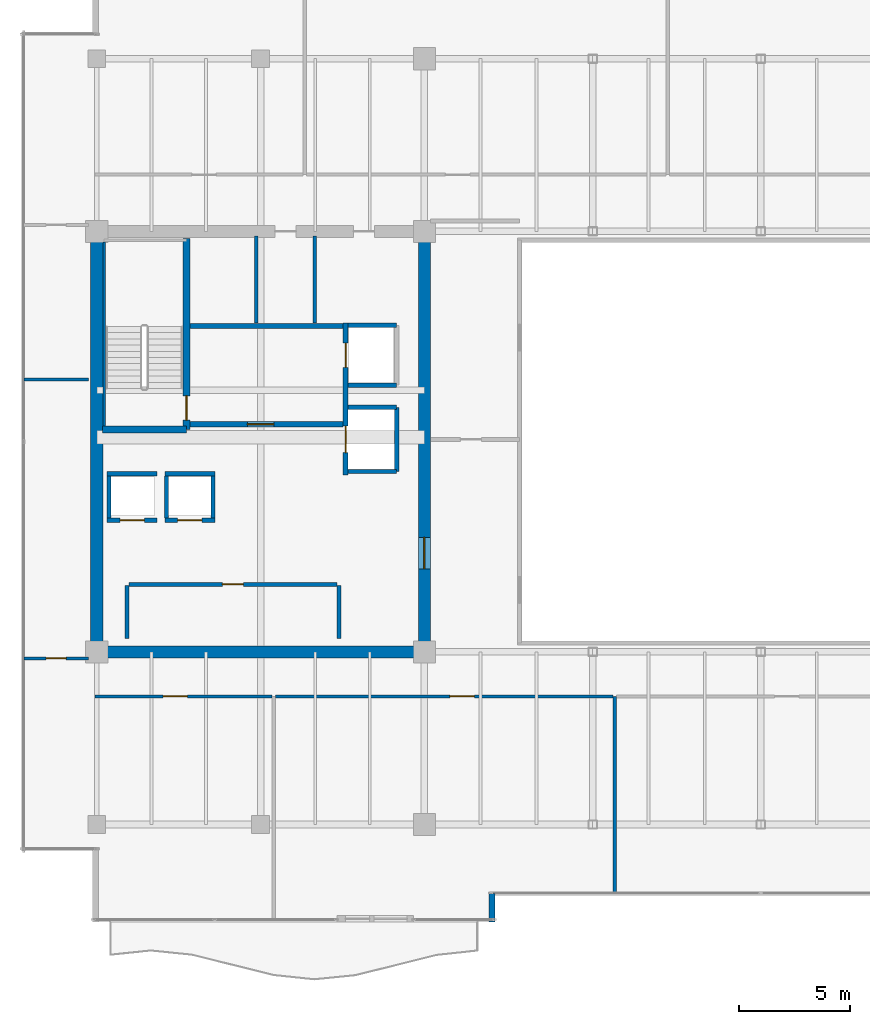
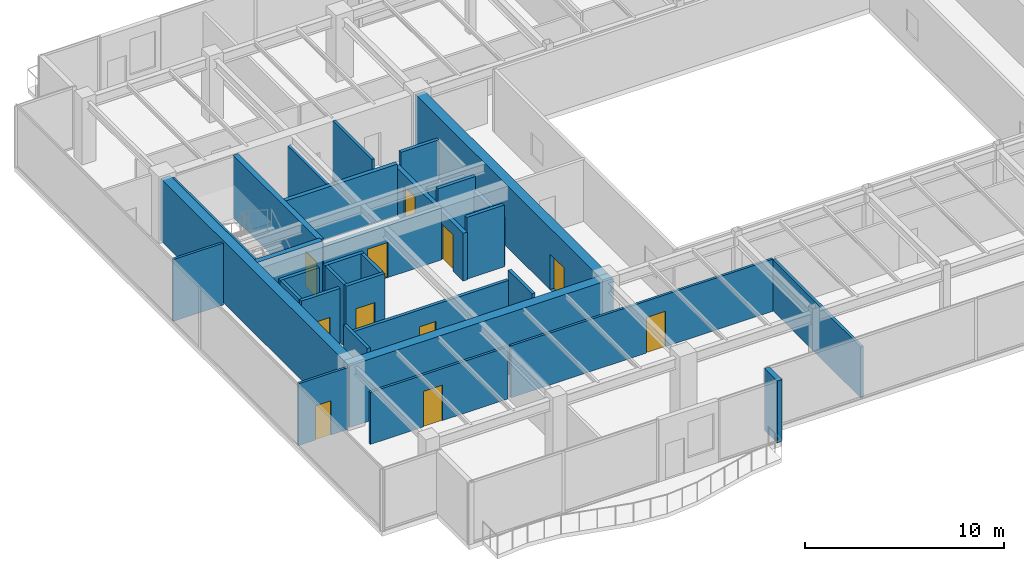
# One storey, part 28 of 34: 32 walls, 11 doors, 11 openings.
"""IFC4 building model written with IfcOpenShell, lengths in metres."""

from ifc_helpers import new_model, si_unit, direction, frame, frame_2d, origin, place, context, subcontext, project, spatial, rectangle, extrude, source, transform, mapped, material, layer, layer_set, type_object, type_shapes, element, fill, save


model = new_model("IFC4")

# Units and contexts
model_context = context("Model", 3, precision=1e-05, world=origin(), true_north=direction((0.0, 1.0)))
body_context = subcontext(model_context, "Body", "Model", "MODEL_VIEW")
ifc_project = project(units=[si_unit("LENGTHUNIT", "METRE"), si_unit("AREAUNIT", "SQUARE_METRE"), si_unit("VOLUMEUNIT", "CUBIC_METRE"), si_unit("PLANEANGLEUNIT", "RADIAN"), si_unit("MASSUNIT", "GRAM", prefix="KILO")], contexts=[model_context])

# Site, building, storey
site_placement = place(None, origin())
site = spatial("IfcSite", under=ifc_project, at=site_placement, CompositionType="ELEMENT")
building_placement = place(site_placement, origin())
building = spatial("IfcBuilding", under=site, at=building_placement, Name="Haelvirn Gate Laboratories", CompositionType="ELEMENT")
storey_placement = place(building_placement, frame((0.0, 0.0, 246.5)))
storey = spatial("IfcBuildingStorey", under=building, at=storey_placement, Name="L59", CompositionType="ELEMENT", Elevation=246.5)

# Walls
ifc_material_1 = material(Name="Thermally-broken bronze aluminium rainscreen & mineral wool", Category="aluminium")
ifc_layer_1 = layer(ifc_material_1, 0.280029296875, Name="EW-TERR-280")
ifc_layer_set_1 = layer_set([ifc_layer_1], Name="Thermally-broken bronze aluminium rainscreen & mineral wool")
wall_type_1 = type_object("IfcWallType", Name="EW-TERR-280", PredefinedType="STANDARD", material=ifc_layer_set_1)
wall_1_placement = place(storey_placement, frame((25.260009765625, 2.60009765625, 0.0), z_axis=(0.0, 0.0, 1.0), x_axis=(0.0, 1.0, 0.0)))
element("IfcWall", 1, at=wall_1_placement, inside=storey, type_object=wall_type_1, Name="L59 Atrium Recess Bronze Return Wall 01", PredefinedType="STANDARD", context=body_context, shape_type="SweptSolid", body=[
    extrude(rectangle(XDim=1.29296875, YDim=0.280029296875, at=frame_2d((0.646484375, 0.0))), origin(), (0.0, 0.0, 1.0), 3.800048828125),
])
ifc_material_2 = material(Name="Double-layer acoustic gypsum laboratory partition", Category="gypsum")
ifc_layer_2 = layer(ifc_material_2, 0.159912109375, Name="IW-ACOUST-160")
ifc_layer_set_2 = layer_set([ifc_layer_2], Name="Double-layer acoustic gypsum laboratory partition")
wall_type_2 = type_object("IfcWallType", Name="IW-ACOUST-160", PredefinedType="PARTITIONING", material=ifc_layer_set_2)
wall_2_placement = place(storey_placement, frame((30.800048828125, 3.909912109375, 0.0), z_axis=(0.0, 0.0, 1.0), x_axis=(0.0, 1.0, 0.0)))
element("IfcWall", 2, at=wall_2_placement, inside=storey, type_object=wall_type_2, Name="L59 Interior Wall IW-L59-SDIV-02", PredefinedType="PARTITIONING", context=body_context, shape_type="SweptSolid", body=[
    extrude(rectangle(XDim=8.880126953125, YDim=0.159912109375, at=frame_2d((4.43994140625, 0.0))), origin(), (0.0, 0.0, 1.0), 3.135009765625),
])

# Wall, opening, door
ifc_material_3 = material(Name="Acoustic mineral-wool gypsum board partition", Category="gypsum")
ifc_layer_3 = layer(ifc_material_3, 0.139892578125, Name="IW-PART-140")
ifc_layer_set_3 = layer_set([ifc_layer_3], Name="Acoustic mineral-wool gypsum board partition")
wall_type_3 = type_object("IfcWallType", Name="IW-PART-140", PredefinedType="PARTITIONING", material=ifc_layer_set_3)
wall_3_placement = place(storey_placement, frame((7.31005859375, 12.7900390625, 0.0), z_axis=(0.0, 0.0, 1.0), x_axis=(1.0, 0.0, 0.0)))
wall_3 = element("IfcWall", 3, at=wall_3_placement, inside=storey, type_object=wall_type_3, Name="L59 Interior Wall IW-L59-SCORR-01", PredefinedType="PARTITIONING", context=body_context, shape_type="SweptSolid", body=[
    extrude(rectangle(XDim=8.010009765625, YDim=0.139892578125, at=frame_2d((4.0048828125, 0.0))), origin(), (0.0, 0.0, 1.0), 3.197021484375),
])
opening_1_placement = place(wall_3_placement, frame((3.08251953125, 0.0, 0.0)))
opening_1 = element("IfcOpeningElement", 4, at=opening_1_placement, cuts=wall_3, Name="Opening D1", PredefinedType="OPENING", context=body_context, shape_type="SweptSolid", body=[
    extrude(rectangle(XDim=1.10009765625, YDim=2.179931640625, at=frame_2d((0.550048828125, 1.08984375))), frame((0.0, 0.080078125, 0.0), z_axis=(0.0, -1.0, 0.0), x_axis=(1.0, 0.0, 0.0)), (0.0, 0.0, 1.0), 0.159912109375),
])
ifc_material_4 = material(Name="Vision-panel acoustic solid-core timber lab door", Category="wood")
door_type_1 = type_object("IfcDoorType", Name="DR-LAB-1100", OperationType="NOTDEFINED", PredefinedType="DOOR", material=ifc_material_4)
shared_shape_1 = source(origin(), body_context, "Body", "SweptSolid", [
    extrude(rectangle(XDim=1.10009765625, YDim=2.179931640625, at=frame_2d((0.550048828125, 1.08984375))), frame((0.0, 0.02490234375, 0.0), z_axis=(0.0, -1.0, 0.0), x_axis=(1.0, 0.0, 0.0)), (0.0, 0.0, 1.0), 0.050048828125),
])
type_shapes(door_type_1, [shared_shape_1])
door_1_placement = place(opening_1_placement, origin())
door_1 = element("IfcDoor", 5, at=door_1_placement, inside=storey, type_object=door_type_1, Name="L59 Translational Data Office Door S1", OperationType="SINGLE_SWING_RIGHT", OverallHeight=2.179931640625, OverallWidth=1.10009765625, PredefinedType="DOOR", context=body_context, shape_type="MappedRepresentation", body=[
    mapped(shared_shape_1, transform((0.0, 0.0, 0.0), scale=1.0)),
])
fill(opening_1, door_1)

wall_4_placement = place(storey_placement, frame((15.47998046875, 12.7900390625, 0.0), z_axis=(0.0, 0.0, 1.0), x_axis=(1.0, 0.0, 0.0)))
wall_4 = element("IfcWall", 6, at=wall_4_placement, inside=storey, type_object=wall_type_3, Name="L59 Interior Wall IW-L59-SCORR-02", PredefinedType="PARTITIONING", context=body_context, shape_type="SweptSolid", body=[
    extrude(rectangle(XDim=15.239990234375, YDim=0.139892578125, at=frame_2d((7.6201171875, 0.0))), origin(), (0.0, 0.0, 1.0), 3.197021484375),
])
opening_2_placement = place(wall_4_placement, frame((7.87646484375, 0.0, 0.0)))
opening_2 = element("IfcOpeningElement", 7, at=opening_2_placement, cuts=wall_4, Name="Opening D1", PredefinedType="OPENING", context=body_context, shape_type="SweptSolid", body=[
    extrude(rectangle(XDim=1.10009765625, YDim=2.179931640625, at=frame_2d((0.550048828125, 1.08984375))), frame((0.0, 0.080078125, 0.0), z_axis=(0.0, -1.0, 0.0), x_axis=(1.0, 0.0, 0.0)), (0.0, 0.0, 1.0), 0.159912109375),
])
door_2_placement = place(opening_2_placement, origin())
door_2 = element("IfcDoor", 8, at=door_2_placement, inside=storey, type_object=door_type_1, Name="L59 Computational Write-Up Office Door S2", OperationType="SINGLE_SWING_LEFT", OverallHeight=2.179931640625, OverallWidth=1.10009765625, PredefinedType="DOOR", context=body_context, shape_type="MappedRepresentation", body=[
    mapped(shared_shape_1, transform((0.0, 0.0, 0.0), scale=1.0)),
])
fill(opening_2, door_2)

# Wall
wall_5_placement = place(storey_placement, frame((4.110107421875, 27.10009765625, 0.0), z_axis=(0.0, 0.0, 1.0), x_axis=(1.0, 0.0, 0.0)))
element("IfcWall", 9, at=wall_5_placement, inside=storey, type_object=wall_type_3, Name="L59 Interior Wall IW-L59-WZ3-MID", PredefinedType="PARTITIONING", context=body_context, shape_type="SweptSolid", body=[
    extrude(rectangle(XDim=2.909912109375, YDim=0.139892578125, at=frame_2d((1.455078125, 0.0))), origin(), (0.0, 0.0, 1.0), 3.800048828125),
])

# Wall, opening, door
wall_6_placement = place(storey_placement, frame((4.110107421875, 14.5048828125, 0.0), z_axis=(0.0, 0.0, 1.0), x_axis=(1.0, 0.0, 0.0)))
wall_6 = element("IfcWall", 10, at=wall_6_placement, inside=storey, type_object=wall_type_3, Name="L59 Interior Wall IW-L59-WZ3-ENT-S", PredefinedType="PARTITIONING", context=body_context, shape_type="SweptSolid", body=[
    extrude(rectangle(XDim=2.909912109375, YDim=0.139892578125, at=frame_2d((1.455078125, 0.0))), origin(), (0.0, 0.0, 1.0), 3.800048828125),
])
opening_3_placement = place(wall_6_placement, frame((1.0048828125, 0.0, 0.0)))
opening_3 = element("IfcOpeningElement", 11, at=opening_3_placement, cuts=wall_6, Name="Opening D4", PredefinedType="OPENING", context=body_context, shape_type="SweptSolid", body=[
    extrude(rectangle(XDim=0.89990234375, YDim=2.10009765625, at=frame_2d((0.449951171875, 1.050048828125))), frame((0.0, 0.080078125, 0.0), z_axis=(0.0, -1.0, 0.0), x_axis=(1.0, 0.0, 0.0)), (0.0, 0.0, 1.0), 0.159912109375),
])
ifc_material_5 = material(Name="Glazed aluminium-framed write-up door", Category="aluminium")
door_type_2 = type_object("IfcDoorType", Name="DR-OFF-900", OperationType="NOTDEFINED", PredefinedType="DOOR", material=ifc_material_5)
shared_shape_2 = source(origin(), body_context, "Body", "SweptSolid", [
    extrude(rectangle(XDim=0.89990234375, YDim=2.10009765625, at=frame_2d((0.449951171875, 1.050048828125))), frame((0.0, 0.02490234375, 0.0), z_axis=(0.0, -1.0, 0.0), x_axis=(1.0, 0.0, 0.0)), (0.0, 0.0, 1.0), 0.050048828125),
])
type_shapes(door_type_2, [shared_shape_2])
door_3_placement = place(opening_3_placement, origin())
door_3 = element("IfcDoor", 12, at=door_3_placement, inside=storey, type_object=door_type_2, Name="L59 Cleanroom Metrology Suite Door W-S", OperationType="SINGLE_SWING_LEFT", OverallHeight=2.10009765625, OverallWidth=0.89990234375, PredefinedType="DOOR", context=body_context, shape_type="MappedRepresentation", body=[
    mapped(shared_shape_2, transform((0.0, 0.0, 0.0), scale=1.0)),
])
fill(opening_3, door_3)

# Walls
ifc_material_6 = material(Name="Cement-board restroom plumbing chase wall", Category="gypsum")
ifc_layer_4 = layer(ifc_material_6, 0.155029296875, Name="IW-PLUMB-160")
ifc_layer_set_4 = layer_set([ifc_layer_4], Name="Cement-board restroom plumbing chase wall")
wall_type_4 = type_object("IfcWallType", Name="IW-PLUMB-160", PredefinedType="PLUMBINGWALL", material=ifc_layer_set_4)
wall_7_placement = place(storey_placement, frame((14.610107421875, 29.64990234375, 0.0), z_axis=(0.0, 0.0, 1.0), x_axis=(0.0, 1.0, 0.0)))
element("IfcWall", 13, at=wall_7_placement, inside=storey, type_object=wall_type_4, Name="L59 Interior Wall IW-L59-W-CDIV-0", PredefinedType="PLUMBINGWALL", context=body_context, shape_type="SweptSolid", body=[
    extrude(rectangle(XDim=3.93017578125, YDim=0.155029296875, at=frame_2d((1.965087890625, 0.0))), origin(), (0.0, 0.0, 1.0), 3.197021484375),
])
wall_8_placement = place(storey_placement, frame((17.239990234375, 29.64990234375, 0.0), z_axis=(0.0, 0.0, 1.0), x_axis=(0.0, 1.0, 0.0)))
element("IfcWall", 14, at=wall_8_placement, inside=storey, type_object=wall_type_4, Name="L59 Interior Wall IW-L59-W-CDIV-1", PredefinedType="PLUMBINGWALL", context=body_context, shape_type="SweptSolid", body=[
    extrude(rectangle(XDim=3.93017578125, YDim=0.155029296875, at=frame_2d((1.965087890625, 0.0))), origin(), (0.0, 0.0, 1.0), 3.800048828125),
])
ifc_material_7 = material(Name="Concrete C40/50", Category="concrete")
ifc_layer_5 = layer(ifc_material_7, 0.179931640625, Name="IW-SHAFT-180")
ifc_layer_set_5 = layer_set([ifc_layer_5], Name="Concrete C40/50")
wall_type_5 = type_object("IfcWallType", Name="IW-SHAFT-180", PredefinedType="SOLIDWALL", material=ifc_layer_set_5)
for number, where, z_axis, x_axis, name in (
    (15, (7.949951171875, 20.85009765625, 0.0), (0.0, 0.0, 1.0), (0.0, 1.0, 0.0), "L59 Interior Wall IW-L59-PL9-SD"),
    (16, (10.550048828125, 20.85009765625, 0.0), (0.0, 0.0, 1.0), (0.0, 1.0, 0.0), "L59 Interior Wall IW-L59-PL10-SD"),
    (17, (12.64990234375, 20.85009765625, 0.0), (0.0, 0.0, 1.0), (0.0, 1.0, 0.0), "L59 Interior Wall IW-L59-PL10-SDE"),
):
    element("IfcWall", number, at=place(storey_placement, frame(where, z_axis=z_axis, x_axis=x_axis)), inside=storey, type_object=wall_type_5, Name=name, PredefinedType="SOLIDWALL", context=body_context, shape_type="SweptSolid", body=[
        extrude(rectangle(XDim=1.89990234375, YDim=0.179931640625, at=frame_2d((0.949951171875, 0.0))), origin(), (0.0, 0.0, 1.0), 3.800048828125),
    ])

# Wall, opening, door
wall_9_placement = place(storey_placement, frame((8.85009765625, 17.85009765625, 0.0), z_axis=(0.0, 0.0, 1.0), x_axis=(1.0, 0.0, 0.0)))
wall_9 = element("IfcWall", 18, at=wall_9_placement, inside=storey, type_object=wall_type_5, Name="L59 Interior Wall IW-L59-W-FREED-HN-1", PredefinedType="SOLIDWALL", context=body_context, shape_type="SweptSolid", body=[
    extrude(rectangle(XDim=9.39990234375, YDim=0.179931640625, at=frame_2d((4.699951171875, 0.0))), origin(), (0.0, 0.0, 1.0), 3.197021484375),
])
opening_4_placement = place(wall_9_placement, frame((4.22509765625, 0.0, 0.0)))
opening_4 = element("IfcOpeningElement", 19, at=opening_4_placement, cuts=wall_9, Name="Opening FD4", PredefinedType="OPENING", context=body_context, shape_type="SweptSolid", body=[
    extrude(rectangle(XDim=0.949951171875, YDim=2.14990234375, at=frame_2d((0.47509765625, 1.074951171875))), frame((0.0, 0.10009765625, 0.0), z_axis=(0.0, -1.0, 0.0), x_axis=(1.0, 0.0, 0.0)), (0.0, 0.0, 1.0), 0.199951171875),
])
ifc_material_8 = material(Name="Fire-rated steel SM355 core service door", Category="steel")
door_type_3 = type_object("IfcDoorType", Name="DR-FD-950", OperationType="NOTDEFINED", PredefinedType="DOOR", material=ifc_material_8)
shared_shape_3 = source(origin(), body_context, "Body", "SweptSolid", [
    extrude(rectangle(XDim=0.949951171875, YDim=2.14990234375, at=frame_2d((0.47509765625, 1.074951171875))), frame((0.0, 0.02490234375, 0.0), z_axis=(0.0, -1.0, 0.0), x_axis=(1.0, 0.0, 0.0)), (0.0, 0.0, 1.0), 0.050048828125),
])
type_shapes(door_type_3, [shared_shape_3])
door_4_placement = place(opening_4_placement, origin())
door_4 = element("IfcDoor", 20, at=door_4_placement, inside=storey, type_object=door_type_3, Name="L59 Core Metrology & Calibration Laboratory Door", OperationType="SINGLE_SWING_LEFT", OverallHeight=2.14990234375, OverallWidth=0.949951171875, PredefinedType="DOOR", context=body_context, shape_type="MappedRepresentation", body=[
    mapped(shared_shape_3, transform((0.0, 0.0, 0.0), scale=1.0)),
])
fill(opening_4, door_4)

# Walls
for number, where, z_axis, x_axis, name in (
    (21, (18.340087890625, 15.39990234375, 0.0), (0.0, 0.0, 1.0), (0.0, 1.0, 0.0), "L59 Interior Wall IW-L59-W-FREED-HE-1"),
    (22, (8.760009765625, 15.39990234375, 0.0), (0.0, 0.0, 1.0), (0.0, 1.0, 0.0), "L59 Interior Wall IW-L59-W-FREED-HW-1"),
):
    element("IfcWall", number, at=place(storey_placement, frame(where, z_axis=z_axis, x_axis=x_axis)), inside=storey, type_object=wall_type_5, Name=name, PredefinedType="SOLIDWALL", context=body_context, shape_type="SweptSolid", body=[
        extrude(rectangle(XDim=2.400146484375, YDim=0.179931640625, at=frame_2d((1.2001953125, 0.0))), origin(), (0.0, 0.0, 1.0), 3.800048828125),
    ])

# Wall, opening, door
ifc_layer_6 = layer(ifc_material_7, 0.199951171875, Name="IW-SHAFT-200")
ifc_layer_set_6 = layer_set([ifc_layer_6], Name="Concrete C40/50")
wall_type_6 = type_object("IfcWallType", Name="IW-SHAFT-200", PredefinedType="SOLIDWALL", material=ifc_layer_set_6)
wall_10_placement = place(storey_placement, frame((7.8701171875, 20.75, 0.0), z_axis=(0.0, 0.0, 1.0), x_axis=(1.0, 0.0, 0.0)))
wall_10 = element("IfcWall", 23, at=wall_10_placement, inside=storey, type_object=wall_type_6, Name="L59 Interior Wall IW-L59-PL9-FR", PredefinedType="SOLIDWALL", context=body_context, shape_type="SweptSolid", body=[
    extrude(rectangle(XDim=2.259765625, YDim=0.199951171875, at=frame_2d((1.1298828125, 0.0))), origin(), (0.0, 0.0, 1.0), 3.800048828125),
])
opening_5_placement = place(wall_10_placement, frame((0.580078125, 0.0, 0.0)))
opening_5 = element("IfcOpeningElement", 24, at=opening_5_placement, cuts=wall_10, Name="Opening LD2", PredefinedType="OPENING", context=body_context, shape_type="SweptSolid", body=[
    extrude(rectangle(XDim=1.10009765625, YDim=2.219970703125, at=frame_2d((0.550048828125, 1.10986328125))), frame((0.0, 0.10986328125, 0.0), z_axis=(0.0, -1.0, 0.0), x_axis=(1.0, 0.0, 0.0)), (0.0, 0.0, 1.0), 0.219970703125),
])
ifc_material_9 = material(Name="Bronze stainless 316L sliding lift landing door")
door_type_4 = type_object("IfcDoorType", Name="DR-LD-1100", OperationType="NOTDEFINED", PredefinedType="USERDEFINED", material=ifc_material_9)
shared_shape_4 = source(origin(), body_context, "Body", "SweptSolid", [
    extrude(rectangle(XDim=1.10009765625, YDim=2.219970703125, at=frame_2d((0.550048828125, 1.10986328125))), frame((0.0, 0.02490234375, 0.0), z_axis=(0.0, -1.0, 0.0), x_axis=(1.0, 0.0, 0.0)), (0.0, 0.0, 1.0), 0.050048828125),
])
type_shapes(door_type_4, [shared_shape_4])
door_5_placement = place(opening_5_placement, origin())
door_5 = element("IfcDoor", 25, at=door_5_placement, inside=storey, type_object=door_type_4, Name="L59 Passenger Lift PL9 Landing Door", ObjectType="LANDING_DOOR", OperationType="SLIDING_TO_LEFT", OverallHeight=2.219970703125, OverallWidth=1.10009765625, PredefinedType="USERDEFINED", context=body_context, shape_type="MappedRepresentation", body=[
    mapped(shared_shape_4, transform((0.0, 0.0, 0.0), scale=1.0)),
])
fill(opening_5, door_5)

# Wall
wall_11_placement = place(storey_placement, frame((7.8701171875, 22.85009765625, 0.0), z_axis=(0.0, 0.0, 1.0), x_axis=(1.0, 0.0, 0.0)))
element("IfcWall", 26, at=wall_11_placement, inside=storey, type_object=wall_type_6, Name="L59 Interior Wall IW-L59-PL9-BK", PredefinedType="SOLIDWALL", context=body_context, shape_type="SweptSolid", body=[
    extrude(rectangle(XDim=2.259765625, YDim=0.199951171875, at=frame_2d((1.1298828125, 0.0))), origin(), (0.0, 0.0, 1.0), 3.800048828125),
])

# Wall, opening, door
wall_12_placement = place(storey_placement, frame((10.469970703125, 20.75, 0.0), z_axis=(0.0, 0.0, 1.0), x_axis=(1.0, 0.0, 0.0)))
wall_12 = element("IfcWall", 27, at=wall_12_placement, inside=storey, type_object=wall_type_6, Name="L59 Interior Wall IW-L59-PL10-FR", PredefinedType="SOLIDWALL", context=body_context, shape_type="SweptSolid", body=[
    extrude(rectangle(XDim=2.260009765625, YDim=0.199951171875, at=frame_2d((1.1298828125, 0.0))), origin(), (0.0, 0.0, 1.0), 3.800048828125),
])
opening_6_placement = place(wall_12_placement, frame((0.580078125, 0.0, 0.0)))
opening_6 = element("IfcOpeningElement", 28, at=opening_6_placement, cuts=wall_12, Name="Opening LD2", PredefinedType="OPENING", context=body_context, shape_type="SweptSolid", body=[
    extrude(rectangle(XDim=1.10009765625, YDim=2.219970703125, at=frame_2d((0.550048828125, 1.10986328125))), frame((0.0, 0.10986328125, 0.0), z_axis=(0.0, -1.0, 0.0), x_axis=(1.0, 0.0, 0.0)), (0.0, 0.0, 1.0), 0.219970703125),
])
door_6_placement = place(opening_6_placement, origin())
door_6 = element("IfcDoor", 29, at=door_6_placement, inside=storey, type_object=door_type_4, Name="L59 Passenger Lift PL10 Landing Door", ObjectType="LANDING_DOOR", OperationType="SLIDING_TO_RIGHT", OverallHeight=2.219970703125, OverallWidth=1.10009765625, PredefinedType="USERDEFINED", context=body_context, shape_type="MappedRepresentation", body=[
    mapped(shared_shape_4, transform((0.0, 0.0, 0.0), scale=1.0)),
])
fill(opening_6, door_6)

# Walls
wall_13_placement = place(storey_placement, frame((10.469970703125, 22.85009765625, 0.0), z_axis=(0.0, 0.0, 1.0), x_axis=(1.0, 0.0, 0.0)))
element("IfcWall", 30, at=wall_13_placement, inside=storey, type_object=wall_type_6, Name="L59 Interior Wall IW-L59-PL10-BK", PredefinedType="SOLIDWALL", context=body_context, shape_type="SweptSolid", body=[
    extrude(rectangle(XDim=2.260009765625, YDim=0.199951171875, at=frame_2d((1.1298828125, 0.0))), origin(), (0.0, 0.0, 1.0), 3.800048828125),
])
wall_14_placement = place(storey_placement, frame((18.760009765625, 29.550048828125, 0.0), z_axis=(0.0, 0.0, 1.0), x_axis=(1.0, 0.0, 0.0)))
element("IfcWall", 31, at=wall_14_placement, inside=storey, type_object=wall_type_6, Name="L59 Interior Wall IW-L59-FL1-N", PredefinedType="SOLIDWALL", context=body_context, shape_type="SweptSolid", body=[
    extrude(rectangle(XDim=2.18994140625, YDim=0.199951171875, at=frame_2d((1.094970703125, 0.0))), origin(), (0.0, 0.0, 1.0), 3.800048828125),
])
wall_15_placement = place(storey_placement, frame((18.760009765625, 26.85009765625, 0.0), z_axis=(0.0, 0.0, 1.0), x_axis=(1.0, 0.0, 0.0)))
element("IfcWall", 32, at=wall_15_placement, inside=storey, type_object=wall_type_6, Name="L59 Interior Wall IW-L59-FL1-S", PredefinedType="SOLIDWALL", context=body_context, shape_type="SweptSolid", body=[
    extrude(rectangle(XDim=2.18994140625, YDim=0.199951171875, at=frame_2d((1.094970703125, 0.0))), origin(), (0.0, 0.0, 1.0), 3.197021484375),
])
wall_16_placement = place(storey_placement, frame((20.949951171875, 22.949951171875, 0.0), z_axis=(0.0, 0.0, 1.0), x_axis=(0.0, 1.0, 0.0)))
element("IfcWall", 33, at=wall_16_placement, inside=storey, type_object=wall_type_6, Name="L59 Interior Wall IW-L59-SL1-BK", PredefinedType="SOLIDWALL", context=body_context, shape_type="SweptSolid", body=[
    extrude(rectangle(XDim=2.900146484375, YDim=0.199951171875, at=frame_2d((1.4501953125, 0.0))), origin(), (0.0, 0.0, 1.0), 2.93505859375),
])
for number, where, z_axis, x_axis, name in (
    (34, (18.760009765625, 25.85009765625, 0.0), (0.0, 0.0, 1.0), (1.0, 0.0, 0.0), "L59 Interior Wall IW-L59-SL1-N"),
    (35, (18.760009765625, 22.949951171875, 0.0), (0.0, 0.0, 1.0), (1.0, 0.0, 0.0), "L59 Interior Wall IW-L59-SL1-S"),
):
    element("IfcWall", number, at=place(storey_placement, frame(where, z_axis=z_axis, x_axis=x_axis)), inside=storey, type_object=wall_type_6, Name=name, PredefinedType="SOLIDWALL", context=body_context, shape_type="SweptSolid", body=[
        extrude(rectangle(XDim=2.18994140625, YDim=0.199951171875, at=frame_2d((1.094970703125, 0.0))), origin(), (0.0, 0.0, 1.0), 3.800048828125),
    ])

# Wall, opening, door
ifc_layer_7 = layer(ifc_material_7, 0.239990234375, Name="IW-SHAFT-240")
ifc_layer_set_7 = layer_set([ifc_layer_7], Name="Concrete C40/50")
wall_type_7 = type_object("IfcWallType", Name="IW-SHAFT-240", PredefinedType="SOLIDWALL", material=ifc_layer_set_7)
wall_17_placement = place(storey_placement, frame((11.60009765625, 25.080078125, 0.0), z_axis=(0.0, 0.0, 1.0), x_axis=(1.0, 0.0, 0.0)))
wall_17 = element("IfcWall", 36, at=wall_17_placement, inside=storey, type_object=wall_type_7, Name="L59 Interior Wall IW-L59-W-FF-S", PredefinedType="SOLIDWALL", context=body_context, shape_type="SweptSolid", body=[
    extrude(rectangle(XDim=6.919921875, YDim=0.239990234375, at=frame_2d((3.4599609375, 0.0))), origin(), (0.0, 0.0, 1.0), 3.197021484375),
])
opening_7_placement = place(wall_17_placement, frame((2.60009765625, 0.0, 0.0)))
opening_7 = element("IfcOpeningElement", 37, at=opening_7_placement, cuts=wall_17, Name="Opening FD2", PredefinedType="OPENING", context=body_context, shape_type="SweptSolid", body=[
    extrude(rectangle(XDim=1.199951171875, YDim=2.159912109375, at=frame_2d((0.60009765625, 1.080078125))), frame((0.0, 0.1298828125, 0.0), z_axis=(0.0, -1.0, 0.0), x_axis=(1.0, 0.0, 0.0)), (0.0, 0.0, 1.0), 0.260009765625),
])
ifc_material_10 = material(Name="Fire-rated steel SM355 compartment door", Category="steel")
door_type_5 = type_object("IfcDoorType", Name="DR-FD-1200", OperationType="NOTDEFINED", PredefinedType="DOOR", material=ifc_material_10)
shared_shape_5 = source(origin(), body_context, "Body", "SweptSolid", [
    extrude(rectangle(XDim=1.199951171875, YDim=2.159912109375, at=frame_2d((0.60009765625, 1.080078125))), frame((0.0, 0.02490234375, 0.0), z_axis=(0.0, -1.0, 0.0), x_axis=(1.0, 0.0, 0.0)), (0.0, 0.0, 1.0), 0.050048828125),
])
type_shapes(door_type_5, [shared_shape_5])
door_7_placement = place(opening_7_placement, origin())
door_7 = element("IfcDoor", 38, at=door_7_placement, inside=storey, type_object=door_type_5, Name="L59 West Firefighting Lobby Door", OperationType="SINGLE_SWING_RIGHT", OverallHeight=2.159912109375, OverallWidth=1.199951171875, PredefinedType="DOOR", context=body_context, shape_type="MappedRepresentation", body=[
    mapped(shared_shape_5, transform((0.0, 0.0, 0.0), scale=1.0)),
])
fill(opening_7, door_7)

# Wall
wall_18_placement = place(storey_placement, frame((11.60009765625, 29.52001953125, 0.0), z_axis=(0.0, 0.0, 1.0), x_axis=(1.0, 0.0, 0.0)))
element("IfcWall", 39, at=wall_18_placement, inside=storey, type_object=wall_type_7, Name="L59 Interior Wall IW-L59-W-FF-N", PredefinedType="SOLIDWALL", context=body_context, shape_type="SweptSolid", body=[
    extrude(rectangle(XDim=6.919921875, YDim=0.239990234375, at=frame_2d((3.4599609375, 0.0))), origin(), (0.0, 0.0, 1.0), 3.197021484375),
])

# Wall, openings, doors
wall_19_placement = place(storey_placement, frame((18.639892578125, 22.800048828125, 0.0), z_axis=(0.0, 0.0, 1.0), x_axis=(0.0, 1.0, 0.0)))
wall_19 = element("IfcWall", 40, at=wall_19_placement, inside=storey, type_object=wall_type_7, Name="L59 Interior Wall IW-L59-W-FF-E", PredefinedType="SOLIDWALL", context=body_context, shape_type="SweptSolid", body=[
    extrude(rectangle(XDim=6.849853515625, YDim=0.239990234375, at=frame_2d((3.4248046875, 0.0))), origin(), (0.0, 0.0, 1.0), 2.93505859375),
])
opening_8_placement = place(wall_19_placement, frame((4.85009765625, 0.0, 0.0)))
opening_8 = element("IfcOpeningElement", 41, at=opening_8_placement, cuts=wall_19, Name="Opening LD2", PredefinedType="OPENING", context=body_context, shape_type="SweptSolid", body=[
    extrude(rectangle(XDim=1.10009765625, YDim=2.219970703125, at=frame_2d((0.550048828125, 1.10986328125))), frame((0.0, 0.1298828125, 0.0), z_axis=(0.0, -1.0, 0.0), x_axis=(1.0, 0.0, 0.0)), (0.0, 0.0, 1.0), 0.260009765625),
])
opening_9_placement = place(wall_19_placement, frame((1.0, 0.0, 0.0)))
opening_9 = element("IfcOpeningElement", 42, at=opening_9_placement, cuts=wall_19, Name="Opening LD1", PredefinedType="OPENING", context=body_context, shape_type="SweptSolid", body=[
    extrude(rectangle(XDim=1.199951171875, YDim=2.219970703125, at=frame_2d((0.60009765625, 1.10986328125))), frame((0.0, 0.1298828125, 0.0), z_axis=(0.0, -1.0, 0.0), x_axis=(1.0, 0.0, 0.0)), (0.0, 0.0, 1.0), 0.260009765625),
])
door_8_placement = place(opening_8_placement, origin())
door_8 = element("IfcDoor", 43, at=door_8_placement, inside=storey, type_object=door_type_4, Name="L59 Firefighting Lift FL1 Landing Door", ObjectType="LANDING_DOOR", OperationType="SLIDING_TO_LEFT", OverallHeight=2.219970703125, OverallWidth=1.10009765625, PredefinedType="USERDEFINED", context=body_context, shape_type="MappedRepresentation", body=[
    mapped(shared_shape_4, transform((0.0, 0.0, 0.0), scale=1.0)),
])
fill(opening_8, door_8)
ifc_material_11 = material(Name="Stainless steel 316L sliding goods landing door", Category="steel")
door_type_6 = type_object("IfcDoorType", Name="DR-LD-1200", OperationType="NOTDEFINED", PredefinedType="USERDEFINED", material=ifc_material_11)
shared_shape_6 = source(origin(), body_context, "Body", "SweptSolid", [
    extrude(rectangle(XDim=1.199951171875, YDim=2.219970703125, at=frame_2d((0.60009765625, 1.10986328125))), frame((0.0, 0.02490234375, 0.0), z_axis=(0.0, -1.0, 0.0), x_axis=(1.0, 0.0, 0.0)), (0.0, 0.0, 1.0), 0.050048828125),
])
type_shapes(door_type_6, [shared_shape_6])
door_9_placement = place(opening_9_placement, origin())
door_9 = element("IfcDoor", 44, at=door_9_placement, inside=storey, type_object=door_type_6, Name="L59 Service Lift SL1 Landing Door", ObjectType="LANDING_DOOR", OperationType="SLIDING_TO_RIGHT", OverallHeight=2.219970703125, OverallWidth=1.199951171875, PredefinedType="USERDEFINED", context=body_context, shape_type="MappedRepresentation", body=[
    mapped(shared_shape_6, transform((0.0, 0.0, 0.0), scale=1.0)),
])
fill(opening_9, door_9)

# Walls
ifc_material_12 = material(Name="Concrete C50/60", Category="concrete")
ifc_layer_8 = layer(ifc_material_12, 0.550048828125, Name="SW-CORE-550")
ifc_layer_set_8 = layer_set([ifc_layer_8], Name="Concrete C50/60")
wall_type_8 = type_object("IfcWallType", Name="SW-CORE-550", PredefinedType="SHEAR", material=ifc_layer_set_8)
wall_20_placement = place(storey_placement, frame((7.125, 14.800048828125, 0.0), z_axis=(0.0, 0.0, 1.0), x_axis=(1.0, 0.0, 0.0)))
element("IfcWall", 45, at=wall_20_placement, inside=storey, type_object=wall_type_8, Name="L59 W Core Shear Wall S", PredefinedType="SHEAR", context=body_context, shape_type="SweptSolid", body=[
    extrude(rectangle(XDim=15.35009765625, YDim=0.550048828125, at=frame_2d((7.675048828125, 0.0))), origin(), (0.0, 0.0, 1.0), 3.800048828125),
])
wall_21_placement = place(storey_placement, frame((7.39990234375, 15.074951171875, 0.0), z_axis=(0.0, 0.0, 1.0), x_axis=(0.0, 1.0, 0.0)))
element("IfcWall", 46, at=wall_21_placement, inside=storey, type_object=wall_type_8, Name="L59 W Core Shear Wall W", PredefinedType="SHEAR", context=body_context, shape_type="SweptSolid", body=[
    extrude(rectangle(XDim=18.449951171875, YDim=0.550048828125, at=frame_2d((9.22509765625, 0.0))), origin(), (0.0, 0.0, 1.0), 3.800048828125),
])

# Wall, opening, door
wall_22_placement = place(storey_placement, frame((22.199951171875, 15.074951171875, 0.0), z_axis=(0.0, 0.0, 1.0), x_axis=(0.0, 1.0, 0.0)))
wall_22 = element("IfcWall", 47, at=wall_22_placement, inside=storey, type_object=wall_type_8, Name="L59 W Core Shear Wall E", PredefinedType="SHEAR", context=body_context, shape_type="SweptSolid", body=[
    extrude(rectangle(XDim=18.449951171875, YDim=0.550048828125, at=frame_2d((9.22509765625, 0.0))), origin(), (0.0, 0.0, 1.0), 3.800048828125),
])
opening_10_placement = place(wall_22_placement, frame((3.47509765625, 0.0, 0.0)))
opening_10 = element("IfcOpeningElement", 48, at=opening_10_placement, cuts=wall_22, Name="Opening FD1", PredefinedType="OPENING", context=body_context, shape_type="SweptSolid", body=[
    extrude(rectangle(XDim=1.419921875, YDim=2.199951171875, at=frame_2d((0.7099609375, 1.10009765625))), frame((0.0, 0.28515625, 0.0), z_axis=(0.0, -1.0, 0.0), x_axis=(1.0, 0.0, 0.0)), (0.0, 0.0, 1.0), 0.570068359375),
])
ifc_material_13 = material(Name="Fire-rated double steel SM355 lobby door", Category="steel")
door_type_7 = type_object("IfcDoorType", Name="DR-FD-1400", OperationType="NOTDEFINED", PredefinedType="DOOR", material=ifc_material_13)
shared_shape_7 = source(origin(), body_context, "Body", "SweptSolid", [
    extrude(rectangle(XDim=1.419921875, YDim=2.199951171875, at=frame_2d((0.7099609375, 1.10009765625))), frame((0.0, 0.02490234375, 0.0), z_axis=(0.0, -1.0, 0.0), x_axis=(1.0, 0.0, 0.0)), (0.0, 0.0, 1.0), 0.050048828125),
])
type_shapes(door_type_7, [shared_shape_7])
door_10_placement = place(opening_10_placement, origin())
door_10 = element("IfcDoor", 49, at=door_10_placement, inside=storey, type_object=door_type_7, Name="L59 West Core Lift Lobby Fire Door", OperationType="DOUBLE_DOOR_SINGLE_SWING", OverallHeight=2.199951171875, OverallWidth=1.419921875, PredefinedType="DOOR", context=body_context, shape_type="MappedRepresentation", body=[
    mapped(shared_shape_7, transform((0.0, 0.0, 0.0), scale=1.0)),
])
fill(opening_10, door_10)

# Wall
ifc_layer_9 = layer(ifc_material_12, 0.1201171875, Name="SW-LINER-120")
ifc_layer_set_9 = layer_set([ifc_layer_9], Name="Concrete C50/60")
wall_type_9 = type_object("IfcWallType", Name="SW-LINER-120", PredefinedType="SOLIDWALL", material=ifc_layer_set_9)
wall_23_placement = place(storey_placement, frame((7.72998046875, 25.0, 0.0), z_axis=(0.0, 0.0, 1.0), x_axis=(0.0, 1.0, 0.0)))
element("IfcWall", 50, at=wall_23_placement, inside=storey, type_object=wall_type_9, Name="L59 W Core Stair Shaft Liner Wall OUT", PredefinedType="SOLIDWALL", context=body_context, shape_type="SweptSolid", body=[
    extrude(rectangle(XDim=8.320068359375, YDim=0.1201171875, at=frame_2d((4.16015625, 0.0))), origin(), (0.0, 0.0, 1.0), 3.800048828125),
])

# Wall, opening, door
ifc_layer_10 = layer(ifc_material_12, 0.300048828125, Name="SW-STAIR-300")
ifc_layer_set_10 = layer_set([ifc_layer_10], Name="Concrete C50/60")
wall_type_10 = type_object("IfcWallType", Name="SW-STAIR-300", PredefinedType="SHEAR", material=ifc_layer_set_10)
wall_24_placement = place(storey_placement, frame((11.449951171875, 24.85009765625, 0.0), z_axis=(0.0, 0.0, 1.0), x_axis=(0.0, 1.0, 0.0)))
wall_24 = element("IfcWall", 51, at=wall_24_placement, inside=storey, type_object=wall_type_10, Name="L59 W Core Stair Shaft Structural Wall IN", PredefinedType="SHEAR", context=body_context, shape_type="SweptSolid", body=[
    extrude(rectangle(XDim=8.6298828125, YDim=0.300048828125, at=frame_2d((4.31494140625, 0.0))), origin(), (0.0, 0.0, 1.0), 3.800048828125),
])
opening_11_placement = place(wall_24_placement, frame((0.419921875, 0.0, 0.0)))
opening_11 = element("IfcOpeningElement", 52, at=opening_11_placement, cuts=wall_24, Name="Opening FD3", PredefinedType="OPENING", context=body_context, shape_type="SweptSolid", body=[
    extrude(rectangle(XDim=1.10009765625, YDim=2.14990234375, at=frame_2d((0.550048828125, 1.074951171875))), frame((0.0, 0.16015625, 0.0), z_axis=(0.0, -1.0, 0.0), x_axis=(1.0, 0.0, 0.0)), (0.0, 0.0, 1.0), 0.320068359375),
])
ifc_material_14 = material(Name="Fire-rated steel SM355 escape stair door", Category="steel")
door_type_8 = type_object("IfcDoorType", Name="DR-FD-1100", OperationType="NOTDEFINED", PredefinedType="DOOR", material=ifc_material_14)
shared_shape_8 = source(origin(), body_context, "Body", "SweptSolid", [
    extrude(rectangle(XDim=1.10009765625, YDim=2.14990234375, at=frame_2d((0.550048828125, 1.074951171875))), frame((0.0, 0.02490234375, 0.0), z_axis=(0.0, -1.0, 0.0), x_axis=(1.0, 0.0, 0.0)), (0.0, 0.0, 1.0), 0.050048828125),
])
type_shapes(door_type_8, [shared_shape_8])
door_11_placement = place(opening_11_placement, origin())
door_11 = element("IfcDoor", 53, at=door_11_placement, inside=storey, type_object=door_type_8, Name="L59 Escape Stair ST1 Fire Door", OperationType="SINGLE_SWING_LEFT", OverallHeight=2.14990234375, OverallWidth=1.10009765625, PredefinedType="DOOR", context=body_context, shape_type="MappedRepresentation", body=[
    mapped(shared_shape_8, transform((0.0, 0.0, 0.0), scale=1.0)),
])
fill(opening_11, door_11)

# Wall
wall_25_placement = place(storey_placement, frame((7.64990234375, 24.85009765625, 0.0), z_axis=(0.0, 0.0, 1.0), x_axis=(1.0, 0.0, 0.0)))
element("IfcWall", 54, at=wall_25_placement, inside=storey, type_object=wall_type_10, Name="L59 W Core Stair Shaft Structural Wall S", PredefinedType="SHEAR", context=body_context, shape_type="SweptSolid", body=[
    extrude(rectangle(XDim=3.800048828125, YDim=0.300048828125, at=frame_2d((1.89990234375, 0.0))), origin(), (0.0, 0.0, 1.0), 3.800048828125),
])

save(model, "model.ifc")
